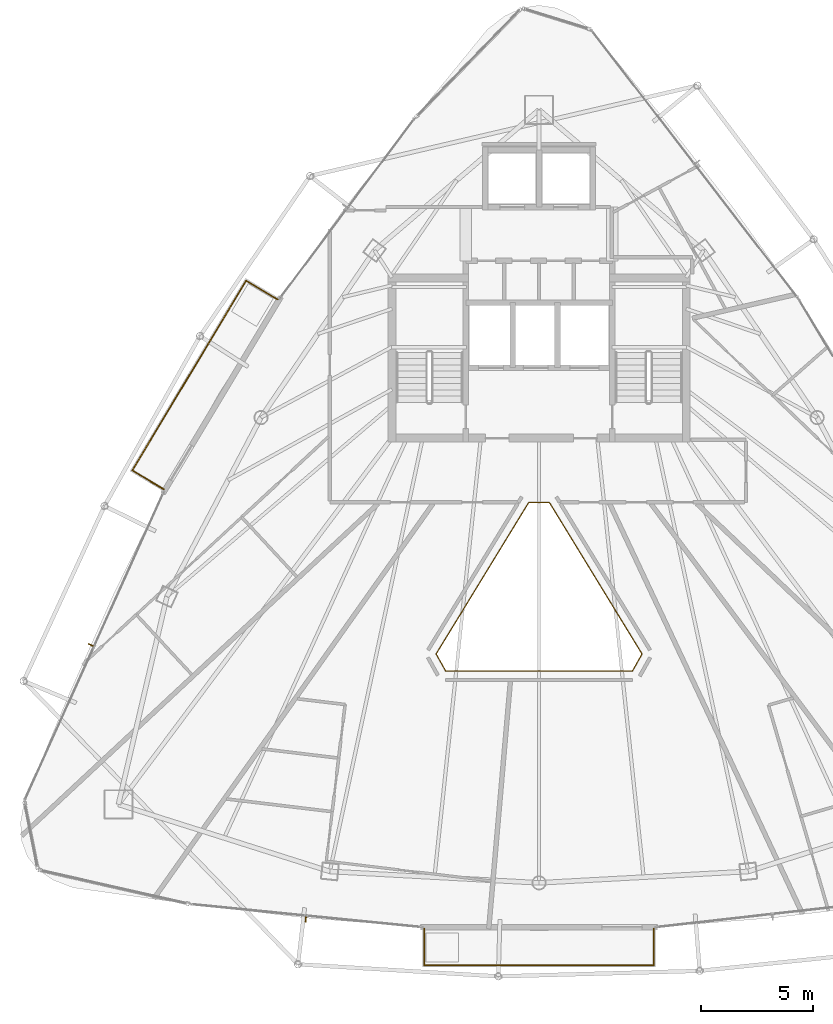
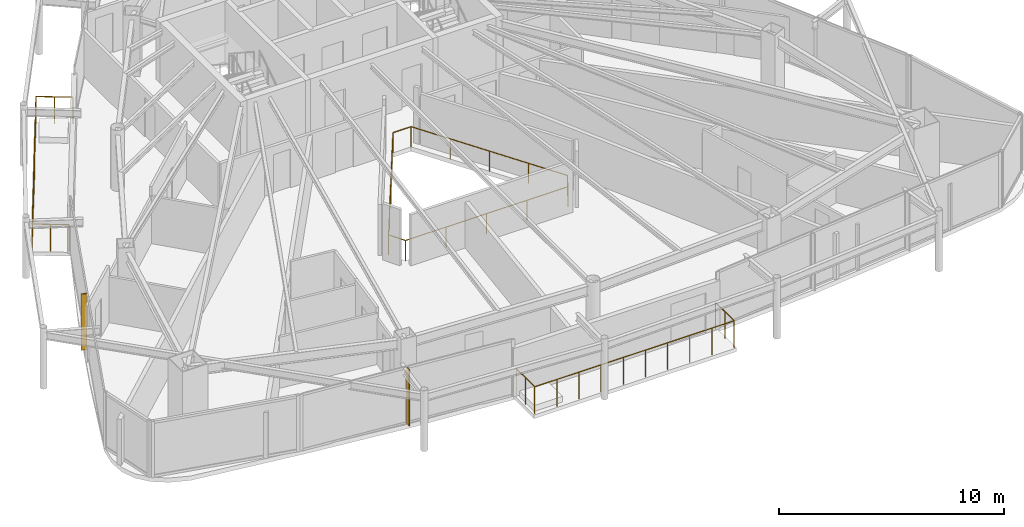
# One storey, part 30 of 32: 3 railings, 2 shading devices.
"""IFC4 building model written with IfcOpenShell, lengths in metres."""

import ifcopenshell
import ifcopenshell.guid

model = None  # the IFC model being written
_history = None  # IfcOwnerHistory: only IFC2X3 demands one
_inside = {}  # id of a spatial element -> (the spatial element, [elements in it])
_under = {}  # id of a project, library or spatial element -> (it, [spatial elements below it])
_declared = {}  # id of a project -> (the project, [libraries it declares])
_typed = {}  # id of a type object -> (the type object, [elements of that type])
_made_of = {}  # id of a material, layer set ... -> (it, [elements and type objects made of it])


def new_model(schema):
    """Start an empty IFC model of exactly this schema.

    Asked for "IFC4X3", IfcOpenShell would pick the latest addendum, in which some entities
    have other attributes; the version numbers below select the first issue.
    IFC2X3 requires an IfcOwnerHistory on every rooted entity: one is made here for all.
    """
    global model, _history
    if schema == "IFC4X3":
        model = ifcopenshell.file(schema_version=(4, 3, 0, 0))
    else:
        model = ifcopenshell.file(schema=schema)
    _inside.clear()
    _under.clear()
    _declared.clear()
    _typed.clear()
    _made_of.clear()
    _history = None
    if model.schema == "IFC2X3":
        org = make("IfcOrganization", Name="unknown")
        user = make(
            "IfcPersonAndOrganization",
            ThePerson=make("IfcPerson", FamilyName="unknown"),
            TheOrganization=org,
        )
        app = make(
            "IfcApplication",
            ApplicationDeveloper=org,
            Version="unknown",
            ApplicationFullName="unknown",
            ApplicationIdentifier="unknown",
        )
        _history = make(
            "IfcOwnerHistory",
            OwningUser=user,
            OwningApplication=app,
            ChangeAction="ADDED",
            CreationDate=0,
        )
    return model


def make(cls, **values):
    """One entity of the class cls with the attributes given. An attribute that is None is left unset."""
    return model.create_entity(
        cls, **{name: value for name, value in values.items() if value is not None}
    )


def rooted(cls, **values):
    """An entity with a GlobalId (a new one), such as an element, a storey or a relation."""
    return make(cls, GlobalId=ifcopenshell.guid.new(), OwnerHistory=_history, **values)


def si_unit(unit_type, name, prefix=None):
    """IfcSIUnit, for example si_unit("LENGTHUNIT", "METRE", prefix="MILLI")."""
    return make("IfcSIUnit", UnitType=unit_type, Prefix=prefix, Name=name)


def assignment(units):
    """IfcUnitAssignment: the units of a project."""
    return None if units is None else make("IfcUnitAssignment", Units=units)


def point(xyz):
    """IfcCartesianPoint."""
    return None if xyz is None else make("IfcCartesianPoint", Coordinates=xyz)


def direction(xyz):
    """IfcDirection."""
    return None if xyz is None else make("IfcDirection", DirectionRatios=xyz)


def frame(location, z_axis=None, x_axis=None):
    """IfcAxis2Placement3D, a coordinate frame: its origin and axes. An axis left out is left unset."""
    return make(
        "IfcAxis2Placement3D",
        Location=point(location),
        Axis=direction(z_axis),
        RefDirection=direction(x_axis),
    )


def frame_2d(location, x_axis=None):
    """IfcAxis2Placement2D, a coordinate frame in the plane: its origin and x axis."""
    return make(
        "IfcAxis2Placement2D", Location=point(location), RefDirection=direction(x_axis)
    )


def origin():
    """The frame at (0, 0, 0) with its axes left unset."""
    return frame((0.0, 0.0, 0.0))


def origin_2d():
    """The frame at (0, 0) in the plane with its x axis left unset."""
    return frame_2d((0.0, 0.0))


def place(relative_to, where):
    """IfcLocalPlacement: puts the frame where relative to a parent placement (None: the world)."""
    return make(
        "IfcLocalPlacement", PlacementRelTo=relative_to, RelativePlacement=where
    )


def context(
    kind, dimensions, precision=None, world=None, true_north=None, identifier=None
):
    """IfcGeometricRepresentationContext, for example the 3D "Model" context."""
    return make(
        "IfcGeometricRepresentationContext",
        ContextIdentifier=identifier,
        ContextType=kind,
        CoordinateSpaceDimension=dimensions,
        Precision=precision,
        WorldCoordinateSystem=world,
        TrueNorth=true_north,
    )


def subcontext(parent, identifier, kind, view, scale=None):
    """IfcGeometricRepresentationSubContext, for example "Body" below "Model"."""
    return make(
        "IfcGeometricRepresentationSubContext",
        ContextIdentifier=identifier,
        ContextType=kind,
        ParentContext=parent,
        TargetScale=scale,
        TargetView=view,
    )


def project(units=None, contexts=None):
    """IfcProject with its units and contexts."""
    return rooted(
        "IfcProject",
        Name="project",
        RepresentationContexts=contexts,
        UnitsInContext=assignment(units),
    )


def spatial(cls, under=None, at=None, **own):
    """A site, building, storey or space (cls), placed at a placement, below another one or the project."""
    s = rooted(cls, ObjectPlacement=at, **own)
    if under is not None:
        _under.setdefault(under.id(), (under, []))[1].append(s)
    return s


def profile(cls, at=None, kind="AREA", **sizes):
    """A parametric profile (cls). Its sizes go by their IFC names, for example OverallWidth=200.0."""
    return make(cls, ProfileType=kind, Position=at, **sizes)


def rectangle(**sizes):
    """IfcRectangleProfileDef."""
    return profile("IfcRectangleProfileDef", **sizes)


def circle(**sizes):
    """IfcCircleProfileDef."""
    return profile("IfcCircleProfileDef", **sizes)


def extrude(swept, where, along, depth):
    """IfcExtrudedAreaSolid: the profile swept, set in the frame where, extruded along a direction by depth."""
    return make(
        "IfcExtrudedAreaSolid",
        SweptArea=swept,
        Position=where,
        ExtrudedDirection=direction(along),
        Depth=depth,
    )


def shape(context_of_items, identifier, shape_type, items):
    """IfcShapeRepresentation: the items that make up one representation, for example the "Body"."""
    return make(
        "IfcShapeRepresentation",
        ContextOfItems=context_of_items,
        RepresentationIdentifier=identifier,
        RepresentationType=shape_type,
        Items=items,
    )


def material(Name=None, Category=None):
    """IfcMaterial."""
    return make("IfcMaterial", Name=Name, Category=Category)


def layer(
    of_material, thickness, ventilated=None, Name=None, Category=None, Priority=None
):
    """IfcMaterialLayer: one layer of a wall or slab, of a material (None: an air gap)."""
    return make(
        "IfcMaterialLayer",
        Material=of_material,
        LayerThickness=thickness,
        IsVentilated=ventilated,
        Name=Name,
        Category=Category,
        Priority=Priority,
    )


def layer_set(layers, Name=None):
    """IfcMaterialLayerSet."""
    return make("IfcMaterialLayerSet", MaterialLayers=layers, LayerSetName=Name)


def made_of(thing, what):
    """Note that an element or type object is made of a material, layer set ...; save() writes the relation."""
    if what is not None:
        _made_of.setdefault(what.id(), (what, []))[1].append(thing)
    return thing


def type_object(cls, material=None, **own):
    """A type object (cls), such as IfcWallType, which elements share."""
    return made_of(rooted(cls, **own), material)


def element(
    cls,
    number,
    at=None,
    inside=None,
    cuts=None,
    type_object=None,
    material=None,
    context=None,
    identifier="Body",
    shape_type=None,
    held_by="IfcProductDefinitionShape",
    body=None,
    shapes=None,
    **own,
):
    """One element of the class cls, such as IfcWall. Its Tag is "e" and its number.

    at: its placement. inside: the storey or other place that contains it. cuts: it is an
    opening in that element (IfcRelVoidsElement). A single representation is given by context,
    identifier, shape_type and body (its items); several are given by shapes. held_by: the class
    of the entity that holds the representations. save() writes the other relations.
    """
    e = rooted(cls, Tag="e%d" % number, ObjectPlacement=at, **own)
    if body is not None:
        shapes = [shape(context, identifier, shape_type, body)]
    if shapes is not None:
        e.Representation = make(held_by, Representations=shapes)
    if inside is not None:
        _inside.setdefault(inside.id(), (inside, []))[1].append(e)
    if cuts is not None:
        rooted(
            "IfcRelVoidsElement", RelatingBuildingElement=cuts, RelatedOpeningElement=e
        )
    if type_object is not None:
        _typed.setdefault(type_object.id(), (type_object, []))[1].append(e)
    return made_of(e, material)


def aggregate(whole, parts):
    """IfcRelAggregates: a whole, such as a stair, and the parts it consists of."""
    return rooted("IfcRelAggregates", RelatingObject=whole, RelatedObjects=parts)


def save(model, path):
    """Write the relations noted so far, then the file.

    IfcRelAggregates (storeys below a building ...), IfcRelContainedInSpatialStructure (elements
    in a storey), IfcRelDefinesByType, IfcRelAssociatesMaterial and IfcRelDeclares: one each for
    every whole, place, type object, material and project.
    """
    for whole, parts in _under.values():
        aggregate(whole, parts)
    for where, things in _inside.values():
        rooted(
            "IfcRelContainedInSpatialStructure",
            RelatedElements=things,
            RelatingStructure=where,
        )
    for kind, things in _typed.values():
        rooted("IfcRelDefinesByType", RelatedObjects=things, RelatingType=kind)
    for what, things in _made_of.values():
        rooted("IfcRelAssociatesMaterial", RelatedObjects=things, RelatingMaterial=what)
    for by, libraries in _declared.values():
        rooted("IfcRelDeclares", RelatingContext=by, RelatedDefinitions=libraries)
    model.write(path)


model = new_model("IFC4")

# Units and contexts
model_context = context("Model", 3, precision=1e-05, world=origin(), true_north=direction((0.0, 1.0)))
body_context = subcontext(model_context, "Body", "Model", "MODEL_VIEW")
ifc_project = project(units=[si_unit("LENGTHUNIT", "METRE"), si_unit("AREAUNIT", "SQUARE_METRE"), si_unit("VOLUMEUNIT", "CUBIC_METRE"), si_unit("PLANEANGLEUNIT", "RADIAN"), si_unit("MASSUNIT", "GRAM", prefix="KILO")], contexts=[model_context])

# Site, building, storey
site_placement = place(None, origin())
site = spatial("IfcSite", under=ifc_project, at=site_placement, CompositionType="ELEMENT")
building_placement = place(site_placement, origin())
building = spatial("IfcBuilding", under=site, at=building_placement, Name="Orvanel Arch Residences", CompositionType="ELEMENT")
storey_placement = place(building_placement, frame((0.0, 0.0, 216.199951171875)))
storey = spatial("IfcBuildingStorey", under=building, at=storey_placement, Name="L61", CompositionType="ELEMENT", Elevation=216.199951171875)

# Shading devices
ifc_material = material(Name="Bronze-anodised aluminium AA6063-T6", Category="aluminium")
ifc_layer = layer(ifc_material, 0.050048828125)
ifc_layer_set = layer_set([ifc_layer], Name="Bronze-anodised aluminium AA6063-T6")
shading_device_type = type_object("IfcShadingDeviceType", Name="FIN-BRZ-260", PredefinedType="USERDEFINED", material=ifc_layer_set)
for number, where, z_axis, x_axis, name in (
    (1, (12.970947265625, 17.47607421875, 0.0), (0.0, 0.0, 1.0), (-0.911403276635, 0.411514358605, 0.0), "L61 Anodised Bronze Mullion FIN 01"),
    (2, (22.573974609375, 5.221923828125, 0.0), (0.0, 0.0, 1.0), (-0.099319749744, -0.995055569961, 0.0), "L61 Anodised Bronze Mullion FIN 01"),
):
    element("IfcShadingDevice", number, at=place(storey_placement, frame(where, z_axis=z_axis, x_axis=x_axis)), inside=storey, type_object=shading_device_type, Name=name, ObjectType="FIN", PredefinedType="USERDEFINED", context=body_context, shape_type="SweptSolid", body=[
        extrude(rectangle(XDim=0.260009765625, YDim=0.050048828125, at=origin_2d()), origin(), (0.0, 0.0, 1.0), 3.06005859375),
    ])

# Railings
railing_type_1 = type_object("IfcRailingType", Name="RL-ATR-1120", PredefinedType="BALUSTRADE", material=ifc_material)
railing_1_placement = place(storey_placement, frame((33.466064453125, 23.8369140625, 0.0)))
element("IfcRailing", 3, at=railing_1_placement, inside=storey, type_object=railing_type_1, Name="L61 Atrium Void Protective Balustrade", PredefinedType="BALUSTRADE", context=body_context, shape_type="SweptSolid", body=[
    extrude(circle(Radius=0.02392578125, at=origin_2d()), frame((-0.00146484375, 0.0, 1.09619140625), z_axis=(-1.0, 0.0, 0.0), x_axis=(0.0, -1.0, 0.0)), (0.0, 0.0, 1.0), 0.92919921875),
    extrude(circle(Radius=0.02392578125, at=origin_2d()), frame((-0.932861328125, -0.001220703125, 1.09619140625), z_axis=(-0.521608244305, -0.853185114423, 0.0), x_axis=(0.853185114423, -0.521608244305, 0.0)), (0.0, 0.0, 1.0), 7.922607421875),
    extrude(circle(Radius=0.02392578125, at=origin_2d()), frame((-5.0654296875, -6.76318359375, 1.09619140625), z_axis=(0.489240618961, -0.872148850116, 0.0), x_axis=(0.872148850116, 0.489240618961, 0.0)), (0.0, 0.0, 1.0), 0.871826171875),
    extrude(circle(Radius=0.02392578125, at=origin_2d()), frame((-4.63671875, -7.52490234375, 1.09619140625), z_axis=(1.0, 0.0, 0.0), x_axis=(0.0, 1.0, 0.0)), (0.0, 0.0, 1.0), 8.34130859375),
    extrude(circle(Radius=0.02392578125, at=origin_2d()), frame((3.706787109375, -7.523681640625, 1.09619140625), z_axis=(0.489240618961, 0.872148850116, 0.0), x_axis=(-0.872148850116, 0.489240618961, 0.0)), (0.0, 0.0, 1.0), 0.871826171875),
    extrude(circle(Radius=0.02392578125, at=origin_2d()), frame((4.13330078125, -6.7607421875, 1.09619140625), z_axis=(-0.521608244305, 0.853185114423, 0.0), x_axis=(-0.853185114423, -0.521608244305, 0.0)), (0.0, 0.0, 1.0), 7.922607421875),
    extrude(circle(Radius=0.02099609375, at=origin_2d()), origin(), (0.0, 0.0, 1.0), 1.070068359375),
    extrude(circle(Radius=0.02099609375, at=origin_2d()), frame((-0.93212890625, 0.0, 0.0)), (0.0, 0.0, 1.0), 1.070068359375),
    extrude(circle(Radius=0.02099609375, at=origin_2d()), frame((-1.965576171875, -1.6904296875, 0.0)), (0.0, 0.0, 1.0), 1.070068359375),
    extrude(circle(Radius=0.02099609375, at=origin_2d()), frame((-2.9990234375, -3.380859375, 0.0)), (0.0, 0.0, 1.0), 1.070068359375),
    extrude(circle(Radius=0.02099609375, at=origin_2d()), frame((-4.03271484375, -5.071533203125, 0.0)), (0.0, 0.0, 1.0), 1.070068359375),
    extrude(circle(Radius=0.02099609375, at=origin_2d()), frame((-5.066162109375, -6.761962890625, 0.0)), (0.0, 0.0, 1.0), 1.070068359375),
    extrude(circle(Radius=0.02099609375, at=origin_2d()), frame((-4.63818359375, -7.52490234375, 0.0)), (0.0, 0.0, 1.0), 1.070068359375),
    extrude(circle(Radius=0.02099609375, at=origin_2d()), frame((-2.55224609375, -7.52490234375, 0.0)), (0.0, 0.0, 1.0), 1.070068359375),
    extrude(circle(Radius=0.02099609375, at=origin_2d()), frame((-0.466064453125, -7.52490234375, 0.0)), (0.0, 0.0, 1.0), 1.070068359375),
    extrude(circle(Radius=0.02099609375, at=origin_2d()), frame((1.6201171875, -7.52490234375, 0.0)), (0.0, 0.0, 1.0), 1.070068359375),
    extrude(circle(Radius=0.02099609375, at=origin_2d()), frame((3.7060546875, -7.52490234375, 0.0)), (0.0, 0.0, 1.0), 1.070068359375),
    extrude(circle(Radius=0.02099609375, at=origin_2d()), frame((4.134033203125, -6.761962890625, 0.0)), (0.0, 0.0, 1.0), 1.070068359375),
    extrude(circle(Radius=0.02099609375, at=origin_2d()), frame((3.1005859375, -5.071533203125, 0.0)), (0.0, 0.0, 1.0), 1.070068359375),
    extrude(circle(Radius=0.02099609375, at=origin_2d()), frame((2.06689453125, -3.380859375, 0.0)), (0.0, 0.0, 1.0), 1.070068359375),
    extrude(circle(Radius=0.02099609375, at=origin_2d()), frame((1.033447265625, -1.6904296875, 0.0)), (0.0, 0.0, 1.0), 1.070068359375),
])
railing_type_2 = type_object("IfcRailingType", Name="RL-BAL-1480", PredefinedType="BALUSTRADE", material=ifc_material)
railing_2_placement = place(storey_placement, frame((21.31494140625, 32.919921875, 0.0)))
element("IfcRailing", 4, at=railing_2_placement, inside=storey, type_object=railing_type_2, Name="L61 Balcony Perimeter Guardrail Face 1", PredefinedType="BALUSTRADE", context=body_context, shape_type="SweptSolid", body=[
    extrude(circle(Radius=0.02392578125, at=origin_2d()), frame((-0.001220703125, 0.000732421875, 1.4560546875), z_axis=(-0.857387817543, 0.514670895164, 0.0), x_axis=(-0.514670895164, -0.857387817543, 0.0)), (0.0, 0.0, 1.0), 1.636962890625),
    extrude(circle(Radius=0.02392578125, at=origin_2d()), frame((-1.40673828125, 0.8427734375, 1.4560546875), z_axis=(-0.514401429037, -0.857549514492, 0.0), x_axis=(0.857549514492, -0.514401429037, 0.0)), (0.0, 0.0, 1.0), 9.8935546875),
    extrude(circle(Radius=0.02392578125, at=origin_2d()), frame((-6.49560546875, -7.6435546875, 1.4560546875), z_axis=(0.857545439568, -0.514408222208, 0.0), x_axis=(0.514408222208, 0.857545439568, 0.0)), (0.0, 0.0, 1.0), 1.6376953125),
    extrude(circle(Radius=0.02099609375, at=origin_2d()), origin(), (0.0, 0.0, 1.0), 1.429931640625),
    extrude(circle(Radius=0.02099609375, at=origin_2d()), frame((-0.703125, 0.421875, 0.0)), (0.0, 0.0, 1.0), 1.429931640625),
    extrude(circle(Radius=0.02099609375, at=origin_2d()), frame((-1.406005859375, 0.843994140625, 0.0)), (0.0, 0.0, 1.0), 1.429931640625),
    extrude(circle(Radius=0.02099609375, at=origin_2d()), frame((-1.9716796875, -0.098876953125, 0.0)), (0.0, 0.0, 1.0), 1.429931640625),
    extrude(circle(Radius=0.02099609375, at=origin_2d()), frame((-2.537353515625, -1.0419921875, 0.0)), (0.0, 0.0, 1.0), 1.429931640625),
    extrude(circle(Radius=0.02099609375, at=origin_2d()), frame((-3.10302734375, -1.98486328125, 0.0)), (0.0, 0.0, 1.0), 1.429931640625),
    extrude(circle(Radius=0.02099609375, at=origin_2d()), frame((-3.668701171875, -2.927978515625, 0.0)), (0.0, 0.0, 1.0), 1.429931640625),
    extrude(circle(Radius=0.02099609375, at=origin_2d()), frame((-4.234130859375, -3.870849609375, 0.0)), (0.0, 0.0, 1.0), 1.429931640625),
    extrude(circle(Radius=0.02099609375, at=origin_2d()), frame((-4.7998046875, -4.81396484375, 0.0)), (0.0, 0.0, 1.0), 1.429931640625),
    extrude(circle(Radius=0.02099609375, at=origin_2d()), frame((-5.365478515625, -5.7568359375, 0.0)), (0.0, 0.0, 1.0), 1.429931640625),
    extrude(circle(Radius=0.02099609375, at=origin_2d()), frame((-5.93115234375, -6.699951171875, 0.0)), (0.0, 0.0, 1.0), 1.429931640625),
    extrude(circle(Radius=0.02099609375, at=origin_2d()), frame((-6.496826171875, -7.642822265625, 0.0)), (0.0, 0.0, 1.0), 1.429931640625),
    extrude(circle(Radius=0.02099609375, at=origin_2d()), frame((-5.79345703125, -8.06494140625, 0.0)), (0.0, 0.0, 1.0), 1.429931640625),
    extrude(circle(Radius=0.02099609375, at=origin_2d()), frame((-5.08984375, -8.48681640625, 0.0)), (0.0, 0.0, 1.0), 1.429931640625),
])
railing_3_placement = place(storey_placement, frame((27.8740234375, 4.799072265625, 0.0)))
element("IfcRailing", 5, at=railing_3_placement, inside=storey, type_object=railing_type_2, Name="L61 Balcony Perimeter Guardrail Face 2", PredefinedType="BALUSTRADE", context=body_context, shape_type="SweptSolid", body=[
    extrude(circle(Radius=0.02392578125, at=origin_2d()), frame((0.0, -0.00146484375, 1.4560546875), z_axis=(0.0, -1.0, 0.0), x_axis=(1.0, 0.0, 0.0)), (0.0, 0.0, 1.0), 1.63720703125),
    extrude(circle(Radius=0.02392578125, at=origin_2d()), frame((0.00146484375, -1.64013671875, 1.4560546875), z_axis=(1.0, 0.0, 0.0), x_axis=(0.0, 1.0, 0.0)), (0.0, 0.0, 1.0), 10.2490234375),
    extrude(circle(Radius=0.02392578125, at=origin_2d()), frame((10.251953125, -1.638671875, 1.4560546875), z_axis=(0.0, 1.0, 0.0), x_axis=(-1.0, 0.0, 0.0)), (0.0, 0.0, 1.0), 1.63720703125),
    extrude(circle(Radius=0.02099609375, at=origin_2d()), origin(), (0.0, 0.0, 1.0), 1.429931640625),
    extrude(circle(Radius=0.02099609375, at=origin_2d()), frame((0.0, -0.820068359375, 0.0)), (0.0, 0.0, 1.0), 1.429931640625),
    extrude(circle(Radius=0.02099609375, at=origin_2d()), frame((0.0, -1.64013671875, 0.0)), (0.0, 0.0, 1.0), 1.429931640625),
    extrude(circle(Radius=0.02099609375, at=origin_2d()), frame((1.13916015625, -1.64013671875, 0.0)), (0.0, 0.0, 1.0), 1.429931640625),
    extrude(circle(Radius=0.02099609375, at=origin_2d()), frame((2.2783203125, -1.64013671875, 0.0)), (0.0, 0.0, 1.0), 1.429931640625),
    extrude(circle(Radius=0.02099609375, at=origin_2d()), frame((3.417236328125, -1.64013671875, 0.0)), (0.0, 0.0, 1.0), 1.429931640625),
    extrude(circle(Radius=0.02099609375, at=origin_2d()), frame((4.556396484375, -1.64013671875, 0.0)), (0.0, 0.0, 1.0), 1.429931640625),
    extrude(circle(Radius=0.02099609375, at=origin_2d()), frame((5.695556640625, -1.64013671875, 0.0)), (0.0, 0.0, 1.0), 1.429931640625),
    extrude(circle(Radius=0.02099609375, at=origin_2d()), frame((6.834716796875, -1.64013671875, 0.0)), (0.0, 0.0, 1.0), 1.429931640625),
    extrude(circle(Radius=0.02099609375, at=origin_2d()), frame((7.9736328125, -1.64013671875, 0.0)), (0.0, 0.0, 1.0), 1.429931640625),
    extrude(circle(Radius=0.02099609375, at=origin_2d()), frame((9.11279296875, -1.64013671875, 0.0)), (0.0, 0.0, 1.0), 1.429931640625),
    extrude(circle(Radius=0.02099609375, at=origin_2d()), frame((10.251953125, -1.64013671875, 0.0)), (0.0, 0.0, 1.0), 1.429931640625),
    extrude(circle(Radius=0.02099609375, at=origin_2d()), frame((10.251953125, -0.820068359375, 0.0)), (0.0, 0.0, 1.0), 1.429931640625),
    extrude(circle(Radius=0.02099609375, at=origin_2d()), frame((10.251953125, 0.0, 0.0)), (0.0, 0.0, 1.0), 1.429931640625),
])

save(model, "model.ifc")
